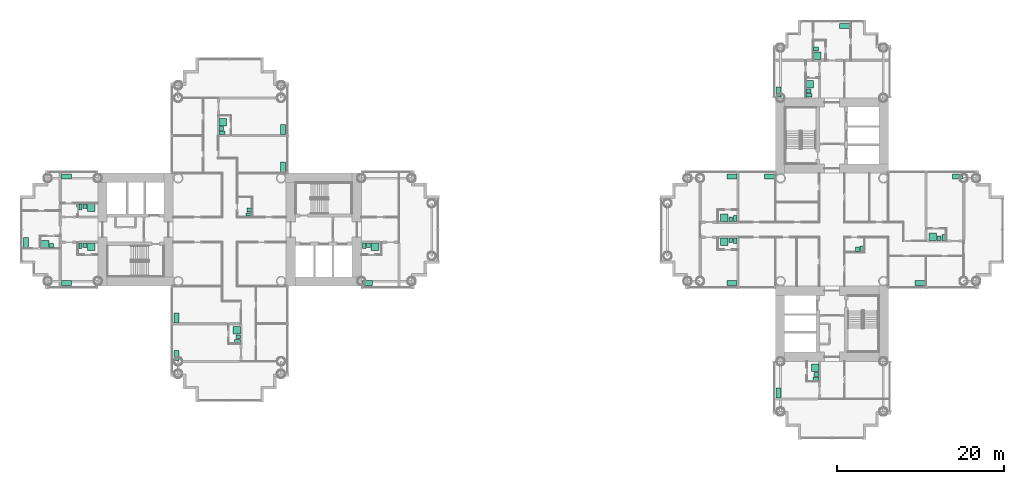
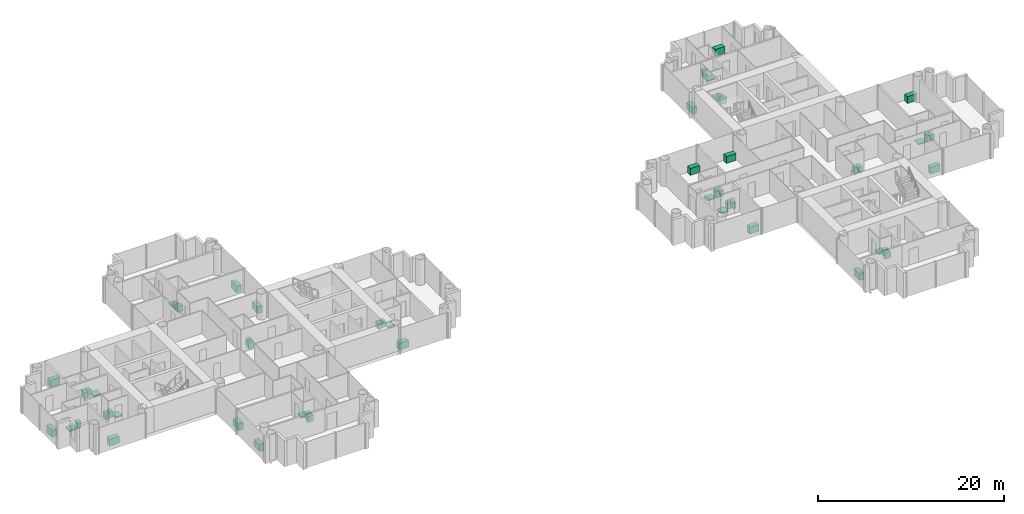
# One storey, part 21 of 21: 54 sanitary terminals.
"""IFC4 building model written with IfcOpenShell, lengths in metres."""

from ifc_helpers import new_model, si_unit, direction, frame, origin, origin_2d, place, context, subcontext, project, spatial, rectangle, extrude, material, type_object, element, save


model = new_model("IFC4")

# Units and contexts
model_context = context("Model", 3, precision=1e-05, world=origin(), true_north=direction((0.0, 1.0)))
body_context = subcontext(model_context, "Body", "Model", "MODEL_VIEW")
ifc_project = project(units=[si_unit("LENGTHUNIT", "METRE"), si_unit("AREAUNIT", "SQUARE_METRE"), si_unit("VOLUMEUNIT", "CUBIC_METRE"), si_unit("PLANEANGLEUNIT", "RADIAN"), si_unit("MASSUNIT", "GRAM", prefix="KILO")], contexts=[model_context])

# Site, building, storey
site_placement = place(None, origin())
site = spatial("IfcSite", under=ifc_project, at=site_placement, CompositionType="ELEMENT")
building_placement = place(site_placement, origin())
building = spatial("IfcBuilding", under=site, at=building_placement, Name="Ipe Terrace Towers", CompositionType="ELEMENT")
storey_placement = place(building_placement, frame((0.0, 0.0, 41.5)))
storey = spatial("IfcBuildingStorey", under=building, at=storey_placement, Name="L10", CompositionType="ELEMENT", Elevation=41.5)

# Sanitary terminals
ifc_material_1 = material(Name="Stainless sink unit", Category="metal")
sanitary_terminal_type_1 = type_object("IfcSanitaryTerminalType", Name="Kitchen sink unit", PredefinedType="SINK", material=ifc_material_1)
for number, where, z_axis, x_axis, name in (
    (1, (-29.6201171875, 7.469970703125, 0.0), (0.0, 0.0, 1.0), (0.0, -1.0, 0.0), "Kitchen sink unit"),
    (2, (-29.6201171875, 11.969970703125, 0.0), (0.0, 0.0, 1.0), (0.0, -1.0, 0.0), "Kitchen sink unit"),
    (3, (-42.3798828125, -10.530029296875, 0.0), (0.0, 0.0, 1.0), (0.0, 1.0, 0.0), "Kitchen sink unit"),
    (4, (-42.3798828125, -15.030029296875, 0.0), (0.0, 0.0, 1.0), (0.0, 1.0, 0.0), "Kitchen sink unit"),
    (5, (-19.530029296875, -6.3798828125, 0.0), (0.0, 0.0, 1.0), (-1.0, 0.0, 0.0), "Kitchen sink unit"),
    (6, (-55.530029296875, -6.3798828125, 0.0), (0.0, 0.0, 1.0), (-1.0, 0.0, 0.0), "Kitchen sink unit"),
    (7, (-55.530029296875, 6.3798828125, 0.0), (0.0, 0.0, 1.0), (1.0, 0.0, 0.0), "Kitchen sink unit"),
    (8, (-60.3798828125, -1.530029296875, 0.0), (0.0, 0.0, 1.0), (0.0, 1.0, 0.0), "Kitchen sink unit"),
    (9, (24.030029296875, -6.3798828125, 0.0), (0.0, 0.0, 1.0), (-1.0, 0.0, 0.0), "Kitchen sink unit"),
    (10, (28.530029296875, 6.3798828125, 0.0), (0.0, 0.0, 1.0), (1.0, 0.0, 0.0), "Kitchen sink unit"),
    (11, (24.030029296875, 6.3798828125, 0.0), (0.0, 0.0, 1.0), (1.0, 0.0, 0.0), "Kitchen sink unit"),
    (12, (51.030029296875, 6.3798828125, 0.0), (0.0, 0.0, 1.0), (1.0, 0.0, 0.0), "Kitchen sink unit"),
    (13, (46.530029296875, -6.3798828125, 0.0), (0.0, 0.0, 1.0), (-1.0, 0.0, 0.0), "Kitchen sink unit"),
    (14, (29.6201171875, 16.469970703125, 0.0), (0.0, 0.0, 1.0), (0.0, 1.0, 0.0), "Kitchen sink unit"),
    (15, (37.530029296875, 24.3798828125, 0.0), (0.0, 0.0, 1.0), (1.0, 0.0, 0.0), "Kitchen sink unit"),
    (16, (29.6201171875, -19.530029296875, 0.0), (0.0, 0.0, 1.0), (0.0, 1.0, 0.0), "Kitchen sink unit"),
):
    element("IfcSanitaryTerminal", number, at=place(storey_placement, frame(where, z_axis=z_axis, x_axis=x_axis)), inside=storey, type_object=sanitary_terminal_type_1, Name=name, PredefinedType="SINK", context=body_context, shape_type="SweptSolid", body=[
        extrude(rectangle(XDim=1.199951171875, YDim=0.60009765625, at=origin_2d()), origin(), (0.0, 0.0, 1.0), 0.89990234375),
    ])
ifc_material_2 = material(Name="Acrylic", Category="plastic")
sanitary_terminal_type_2 = type_object("IfcSanitaryTerminalType", Name="Shower tray", PredefinedType="SHOWER", material=ifc_material_2)
for number, where, z_axis, x_axis, name in (
    (17, (-36.830078125, 12.8701171875, 0.0), (0.0, 0.0, 1.0), (1.0, 0.0, 0.0), "Shower tray"),
    (18, (-35.169921875, -12.030029296875, 0.0), (0.0, 0.0, 1.0), (-1.0, 0.0, 0.0), "Shower tray"),
    (19, (-18.6298828125, -2.02001953125, 0.0), (0.0, 0.0, 1.0), (0.0, -1.0, 0.0), "Shower tray"),
    (20, (-52.530029296875, -2.02001953125, 0.0), (0.0, 0.0, 1.0), (0.0, -1.0, 0.0), "Shower tray"),
    (21, (-52.530029296875, 2.6298828125, 0.0), (0.0, 0.0, 1.0), (0.0, -1.0, 0.0), "Shower tray"),
    (22, (-58.080078125, -1.72998046875, 0.0), (0.0, 0.0, 1.0), (0.0, 1.0, 0.0), "Shower tray"),
    (23, (23.1298828125, -1.419921875, 0.0), (0.0, 0.0, 1.0), (0.0, -1.0, 0.0), "Shower tray"),
    (24, (23.1298828125, 1.419921875, 0.0), (0.0, 0.0, 1.0), (0.0, 1.0, 0.0), "Shower tray"),
    (25, (48.030029296875, -0.830078125, 0.0), (0.0, 0.0, 1.0), (0.0, 1.0, 0.0), "Shower tray"),
    (26, (33.3701171875, 17.3701171875, 0.0), (0.0, 0.0, 1.0), (1.0, 0.0, 0.0), "Shower tray"),
    (27, (34.27001953125, 20.820068359375, 0.0), (0.0, 0.0, 1.0), (1.0, 0.0, 0.0), "Shower tray"),
    (28, (33.97998046875, -16.530029296875, 0.0), (0.0, 0.0, 1.0), (-1.0, 0.0, 0.0), "Shower tray"),
):
    element("IfcSanitaryTerminal", number, at=place(storey_placement, frame(where, z_axis=z_axis, x_axis=x_axis)), inside=storey, type_object=sanitary_terminal_type_2, Name=name, PredefinedType="SHOWER", context=body_context, shape_type="SweptSolid", body=[
        extrude(rectangle(XDim=0.89990234375, YDim=0.89990234375, at=origin_2d()), origin(), (0.0, 0.0, 1.0), 0.14990234375),
    ])
ifc_material_3 = material(Name="Vitreous china", Category="ceramic")
sanitary_terminal_type_3 = type_object("IfcSanitaryTerminalType", Name="Wash basin", PredefinedType="WASHHANDBASIN", material=ifc_material_3)
for number, where, z_axis, x_axis, name in (
    (29, (-33.64501953125, 2.344970703125, 0.0), (0.0, 0.0, 1.0), (-1.0, 0.0, 0.0), "Wash basin"),
    (30, (-37.0048828125, 12.094970703125, 0.0), (0.0, 0.0, 1.0), (1.0, 0.0, 0.0), "Wash basin"),
    (31, (-34.9951171875, -12.804931640625, 0.0), (0.0, 0.0, 1.0), (-1.0, 0.0, 0.0), "Wash basin"),
    (32, (-19.405029296875, -1.844970703125, 0.0), (0.0, 0.0, 1.0), (0.0, -1.0, 0.0), "Wash basin"),
    (33, (-53.304931640625, -1.844970703125, 0.0), (0.0, 0.0, 1.0), (0.0, -1.0, 0.0), "Wash basin"),
    (34, (-53.304931640625, 2.804931640625, 0.0), (0.0, 0.0, 1.0), (0.0, -1.0, 0.0), "Wash basin"),
    (35, (-57.304931640625, -1.905029296875, 0.0), (0.0, 0.0, 1.0), (0.0, 1.0, 0.0), "Wash basin"),
    (36, (39.054931640625, -2.35498046875, 0.0), (0.0, 0.0, 1.0), (0.0, 1.0, 0.0), "Wash basin"),
    (37, (23.905029296875, -1.2451171875, 0.0), (0.0, 0.0, 1.0), (0.0, -1.0, 0.0), "Wash basin"),
    (38, (23.905029296875, 1.2451171875, 0.0), (0.0, 0.0, 1.0), (0.0, 1.0, 0.0), "Wash basin"),
    (39, (48.804931640625, -1.0048828125, 0.0), (0.0, 0.0, 1.0), (0.0, 1.0, 0.0), "Wash basin"),
    (40, (33.195068359375, 16.594970703125, 0.0), (0.0, 0.0, 1.0), (1.0, 0.0, 0.0), "Wash basin"),
    (41, (34.094970703125, 21.594970703125, 0.0), (0.0, 0.0, 1.0), (1.0, 0.0, 0.0), "Wash basin"),
    (42, (34.155029296875, -17.304931640625, 0.0), (0.0, 0.0, 1.0), (-1.0, 0.0, 0.0), "Wash basin"),
):
    element("IfcSanitaryTerminal", number, at=place(storey_placement, frame(where, z_axis=z_axis, x_axis=x_axis)), inside=storey, type_object=sanitary_terminal_type_3, Name=name, PredefinedType="WASHHANDBASIN", context=body_context, shape_type="SweptSolid", body=[
        extrude(rectangle(XDim=0.550048828125, YDim=0.449951171875, at=origin_2d()), origin(), (0.0, 0.0, 1.0), 0.85009765625),
    ])
ifc_material_4 = material(Name="Vitreous china", Category="ceramic")
sanitary_terminal_type_4 = type_object("IfcSanitaryTerminalType", Name="Water closet", PredefinedType="TOILETPAN", material=ifc_material_4)
for number, where, z_axis, x_axis, name in (
    (43, (-33.719970703125, 1.820068359375, 0.0), (0.0, 0.0, 1.0), (-1.0, 0.0, 0.0), "Water closet"),
    (44, (-36.929931640625, 11.570068359375, 0.0), (0.0, 0.0, 1.0), (1.0, 0.0, 0.0), "Water closet"),
    (45, (-35.070068359375, -13.330078125, 0.0), (0.0, 0.0, 1.0), (-1.0, 0.0, 0.0), "Water closet"),
    (46, (-19.929931640625, -1.919921875, 0.0), (0.0, 0.0, 1.0), (0.0, -1.0, 0.0), "Water closet"),
    (47, (-53.830078125, -1.919921875, 0.0), (0.0, 0.0, 1.0), (0.0, -1.0, 0.0), "Water closet"),
    (48, (-53.830078125, 2.72998046875, 0.0), (0.0, 0.0, 1.0), (0.0, -1.0, 0.0), "Water closet"),
    (49, (39.580078125, -2.280029296875, 0.0), (0.0, 0.0, 1.0), (0.0, 1.0, 0.0), "Water closet"),
    (50, (24.429931640625, -1.320068359375, 0.0), (0.0, 0.0, 1.0), (0.0, -1.0, 0.0), "Water closet"),
    (51, (24.429931640625, 1.320068359375, 0.0), (0.0, 0.0, 1.0), (0.0, 1.0, 0.0), "Water closet"),
    (52, (49.330078125, -0.929931640625, 0.0), (0.0, 0.0, 1.0), (0.0, 1.0, 0.0), "Water closet"),
    (53, (33.27001953125, 16.070068359375, 0.0), (0.0, 0.0, 1.0), (1.0, 0.0, 0.0), "Water closet"),
    (54, (34.080078125, -17.830078125, 0.0), (0.0, 0.0, 1.0), (-1.0, 0.0, 0.0), "Water closet"),
):
    element("IfcSanitaryTerminal", number, at=place(storey_placement, frame(where, z_axis=z_axis, x_axis=x_axis)), inside=storey, type_object=sanitary_terminal_type_4, Name=name, PredefinedType="TOILETPAN", context=body_context, shape_type="SweptSolid", body=[
        extrude(rectangle(XDim=0.699951171875, YDim=0.39990234375, at=origin_2d()), origin(), (0.0, 0.0, 1.0), 0.780029296875),
    ])

save(model, "model.ifc")
